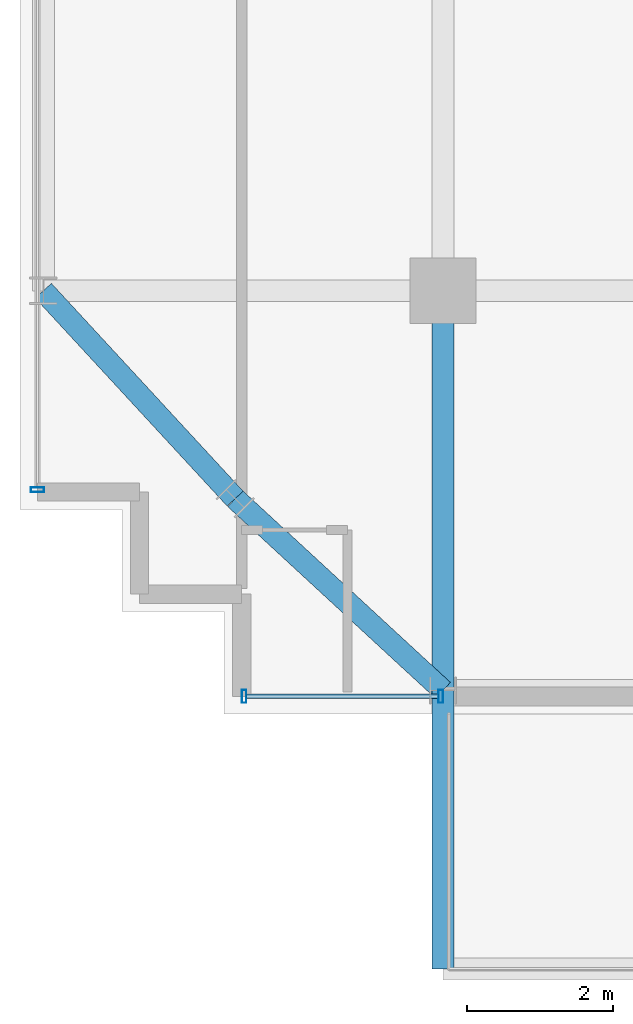
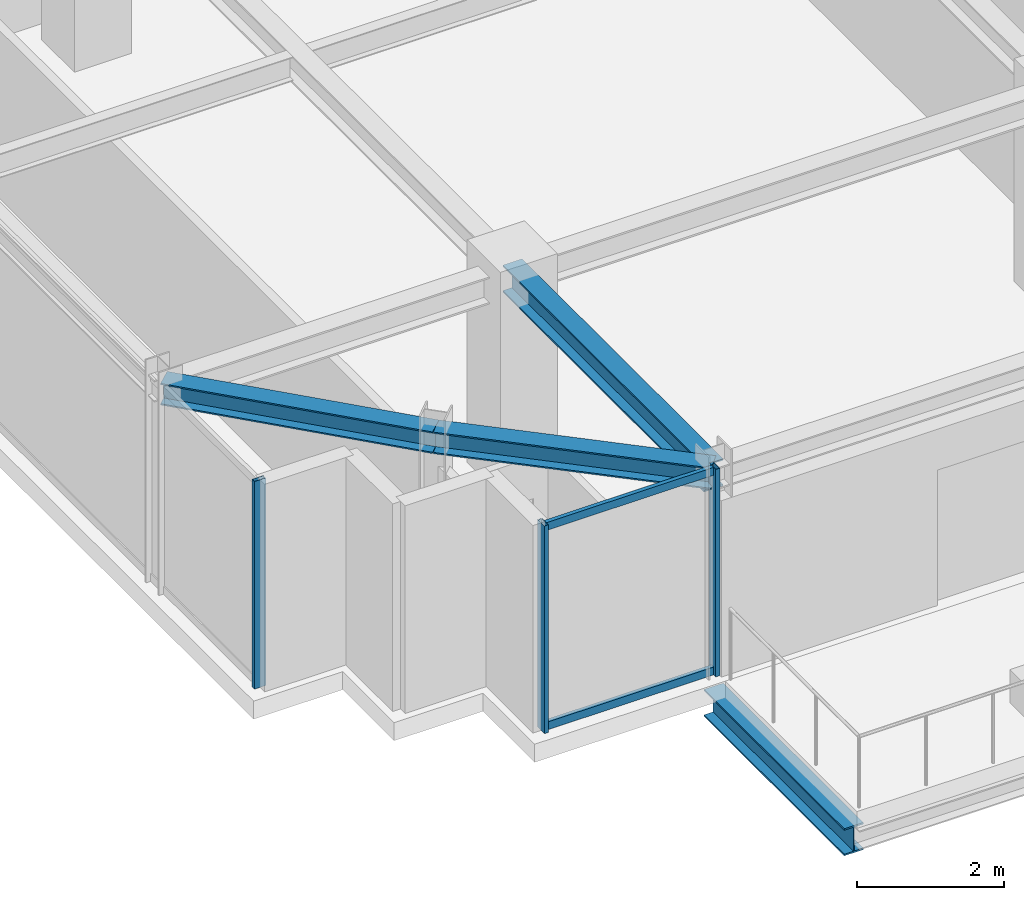
# One storey, part 4 of 32: 5 members, 4 beams, 2 elements without a shape of their own.
"""IFC4 building model written with IfcOpenShell, lengths in metres."""

from ifc_helpers import new_model, si_unit, direction, frame, origin, origin_2d, place, context, subcontext, project, spatial, hollow_rectangle, i_section, extrude, source, transform, mapped, material, material_profile, profile_set, type_object, element, aggregate, save


model = new_model("IFC4")

# Units and contexts
model_context = context("Model", 3, precision=1e-05, world=origin(), true_north=direction((0.0, 1.0)))
body_context = subcontext(model_context, "Body", "Model", "MODEL_VIEW")
ifc_project = project(units=[si_unit("LENGTHUNIT", "METRE"), si_unit("AREAUNIT", "SQUARE_METRE"), si_unit("VOLUMEUNIT", "CUBIC_METRE"), si_unit("PLANEANGLEUNIT", "RADIAN"), si_unit("MASSUNIT", "GRAM", prefix="KILO")], contexts=[model_context])

# Site, building, storey
site_placement = place(None, origin())
site = spatial("IfcSite", under=ifc_project, at=site_placement, CompositionType="ELEMENT")
building_placement = place(site_placement, origin())
building = spatial("IfcBuilding", under=site, at=building_placement, Name="Nahalor Promenade Grand Hotel", CompositionType="ELEMENT")
storey_placement = place(building_placement, frame((0.0, 0.0, 285.050048828125)))
storey = spatial("IfcBuildingStorey", under=building, at=storey_placement, Name="L73", CompositionType="ELEMENT", Elevation=285.050048828125)

# Beams
ifc_material_1 = material(Name="Steel S355JR", Category="steel")
ifc_material_profile_1 = material_profile(ifc_material_1, i_section(OverallWidth=0.3, OverallDepth=0.45, WebThickness=0.014, FlangeThickness=0.026, at=origin_2d()), Name="HEB 450")
ifc_profile_set_1 = profile_set([ifc_material_profile_1], Name="Steel S355JR")
beam_type_1 = type_object("IfcBeamType", Name="Beam-Outrigger-HEB450", PredefinedType="BEAM", material=ifc_profile_set_1)
shared_shape_1 = source(origin(), body_context, "Body", "SweptSolid", [
    extrude(i_section(OverallWidth=0.3, OverallDepth=0.45, WebThickness=0.014, FlangeThickness=0.026, at=origin_2d()), origin(), (0.0, 0.0, 1.0), 3.820068359375),
])
beam_1_placement = place(storey_placement, frame((-17.0, -26.300048828125, -0.505126953125), z_axis=(0.0, 1.0, 0.0), x_axis=(-1.0, 0.0, 0.0)))
element("IfcBeam", 1, at=beam_1_placement, inside=storey, type_object=beam_type_1, Name="BM-L73-BC-01-1", PredefinedType="BEAM", context=body_context, shape_type="MappedRepresentation", body=[
    mapped(shared_shape_1, transform((0.0, 0.0, 0.0), scale=1.0)),
])
ifc_material_profile_2 = material_profile(ifc_material_1, i_section(OverallWidth=0.3, OverallDepth=0.45, WebThickness=0.014, FlangeThickness=0.026, at=origin_2d()), Name="HEB 450")
ifc_profile_set_2 = profile_set([ifc_material_profile_2], Name="Steel S355JR")
beam_type_2 = type_object("IfcBeamType", Name="Beam-Girder-HEB450", PredefinedType="BEAM", material=ifc_profile_set_2)
shared_shape_2 = source(origin(), body_context, "Body", "SweptSolid", [
    extrude(i_section(OverallWidth=0.3, OverallDepth=0.45, WebThickness=0.014, FlangeThickness=0.026, at=origin_2d()), origin(), (0.0, 0.0, 1.0), 5.47998046875),
])
beam_2_placement = place(storey_placement, frame((-17.0, -22.47998046875, 3.224853515625), z_axis=(0.0, 1.0, 0.0), x_axis=(-1.0, 0.0, 0.0)))
element("IfcBeam", 2, at=beam_2_placement, inside=storey, type_object=beam_type_2, Name="BM-L73-GY-0-0", PredefinedType="BEAM", context=body_context, shape_type="MappedRepresentation", body=[
    mapped(shared_shape_2, transform((0.0, 0.0, 0.0), scale=1.0)),
])
ifc_material_profile_3 = material_profile(ifc_material_1, i_section(OverallWidth=0.3, OverallDepth=0.36, WebThickness=0.0125, FlangeThickness=0.0225, at=origin_2d()), Name="HEB 360")
ifc_profile_set_3 = profile_set([ifc_material_profile_3], Name="Steel S355JR")
beam_type_3 = type_object("IfcBeamType", Name="Beam-Spandrel-HEB360", PredefinedType="SPANDREL", material=ifc_profile_set_3)
shared_shape_3 = source(origin(), body_context, "Body", "SweptSolid", [
    extrude(i_section(OverallWidth=0.3, OverallDepth=0.36, WebThickness=0.0125, FlangeThickness=0.0225, at=origin_2d()), origin(), (0.0, 0.0, 1.0), 3.878173828125),
])
for number, where, z_axis, x_axis, name in (
    (3, (-17.0, -22.47998046875, 3.27001953125), (-0.73492893846, 0.678144125843, 0.0), (-0.678144125843, -0.73492893846, 0.0), "BM-L73-SPC-SW-1"),
    (4, (-19.85009765625, -19.85009765625, 3.27001953125), (-0.678144125843, 0.73492893846, 0.0), (-0.73492893846, -0.678144125843, 0.0), "BM-L73-SPC-SW-2"),
):
    element("IfcBeam", number, at=place(storey_placement, frame(where, z_axis=z_axis, x_axis=x_axis)), inside=storey, type_object=beam_type_3, Name=name, PredefinedType="SPANDREL", context=body_context, shape_type="MappedRepresentation", body=[
        mapped(shared_shape_3, transform((0.0, 0.0, 0.0), scale=1.0)),
    ])

# Curtain wall, members
ifc_material_2 = material(Name="Anodised Bronze Aluminium EN AW-6063 T6", Category="aluminium")
curtain_wall_type = type_object("IfcCurtainWallType", Name="CW2 Typical Hotel Flush Bronze Unitised Curtain Wall", PredefinedType="USERDEFINED", material=ifc_material_2)
curtain_wall_1_placement = place(storey_placement, origin())
curtain_wall_1 = element("IfcCurtainWall", 5, at=curtain_wall_1_placement, inside=storey, type_object=curtain_wall_type, Name="L73 Curtain Wall CW-L73-S-1", ObjectType="UNITISED_CURTAIN_WALL", PredefinedType="USERDEFINED")
ifc_material_profile_4 = material_profile(ifc_material_2, hollow_rectangle(XDim=0.065, YDim=0.13, WallThickness=0.004, at=origin_2d()), Name="CWT 65x130x4")
ifc_profile_set_4 = profile_set([ifc_material_profile_4], Name="Anodised Bronze Aluminium EN AW-6063 T6")
member_type_1 = type_object("IfcMemberType", Name="CWT2 Typical Bronze Transom 65x130", PredefinedType="USERDEFINED", material=ifc_profile_set_4)
shared_shape_4 = source(origin(), body_context, "Body", "SweptSolid", [
    extrude(hollow_rectangle(XDim=0.065, YDim=0.13, WallThickness=0.004, at=origin_2d()), origin(), (0.0, 0.0, 1.0), 2.630126953125),
])
member_1_placement = place(storey_placement, frame((-19.695068359375, -22.56005859375, 0.06494140625), z_axis=(1.0, 0.0, 0.0), x_axis=(0.0, 1.0, 0.0)))
member_1 = element("IfcMember", 6, at=member_1_placement, type_object=member_type_1, Name="CW-L73-S-1 Transom 0-0", ObjectType="TRANSOM", PredefinedType="USERDEFINED", context=body_context, shape_type="MappedRepresentation", body=[
    mapped(shared_shape_4, transform((0.0, 0.0, 0.0), scale=1.0)),
])
member_2_placement = place(storey_placement, frame((-19.695068359375, -22.56005859375, 3.385009765625), z_axis=(1.0, 0.0, 0.0), x_axis=(0.0, 1.0, 0.0)))
member_2 = element("IfcMember", 7, at=member_2_placement, type_object=member_type_1, Name="CW-L73-S-1 Transom 0-1", ObjectType="TRANSOM", PredefinedType="USERDEFINED", context=body_context, shape_type="MappedRepresentation", body=[
    mapped(shared_shape_4, transform((0.0, 0.0, 0.0), scale=1.0)),
])
ifc_material_profile_5 = material_profile(ifc_material_2, hollow_rectangle(XDim=0.065, YDim=0.18, WallThickness=0.004, at=origin_2d()), Name="CWM 65x180x4")
ifc_profile_set_5 = profile_set([ifc_material_profile_5], Name="Anodised Bronze Aluminium EN AW-6063 T6")
member_type_2 = type_object("IfcMemberType", Name="CWM2 Typical Bronze Mullion 65x180", PredefinedType="MULLION", material=ifc_profile_set_5)
shared_shape_5 = source(origin(), body_context, "Body", "SweptSolid", [
    extrude(hollow_rectangle(XDim=0.065, YDim=0.18, WallThickness=0.004, at=origin_2d()), origin(), (0.0, 0.0, 1.0), 3.449951171875),
])
member_3_placement = place(storey_placement, frame((-19.7275390625, -22.56005859375, 0.0), z_axis=(0.0, 0.0, 1.0), x_axis=(1.0, 0.0, 0.0)))
member_3 = element("IfcMember", 8, at=member_3_placement, type_object=member_type_2, Name="CW-L73-S-1 Mullion 0", PredefinedType="MULLION", context=body_context, shape_type="MappedRepresentation", body=[
    mapped(shared_shape_5, transform((0.0, 0.0, 0.0), scale=1.0)),
])
member_4_placement = place(storey_placement, frame((-17.032470703125, -22.56005859375, 0.0), z_axis=(0.0, 0.0, 1.0), x_axis=(1.0, 0.0, 0.0)))
member_4 = element("IfcMember", 9, at=member_4_placement, type_object=member_type_2, Name="CW-L73-S-1 Mullion 1", PredefinedType="MULLION", context=body_context, shape_type="MappedRepresentation", body=[
    mapped(shared_shape_5, transform((0.0, 0.0, 0.0), scale=1.0)),
])
aggregate(curtain_wall_1, [member_3, member_4, member_1, member_2])

# Curtain wall, member
curtain_wall_2_placement = place(storey_placement, origin())
curtain_wall_2 = element("IfcCurtainWall", 10, at=curtain_wall_2_placement, inside=storey, type_object=curtain_wall_type, Name="L73 Curtain Wall CW-L73-W-1", ObjectType="UNITISED_CURTAIN_WALL", PredefinedType="USERDEFINED")
member_5_placement = place(storey_placement, frame((-22.56005859375, -19.7275390625, 0.0), z_axis=(0.0, 0.0, 1.0), x_axis=(0.0, 1.0, 0.0)))
member_5 = element("IfcMember", 11, at=member_5_placement, type_object=member_type_2, Name="CW-L73-W-1 Mullion 0", PredefinedType="MULLION", context=body_context, shape_type="MappedRepresentation", body=[
    mapped(shared_shape_5, transform((0.0, 0.0, 0.0), scale=1.0)),
])
aggregate(curtain_wall_2, [member_5])

save(model, "model.ifc")
